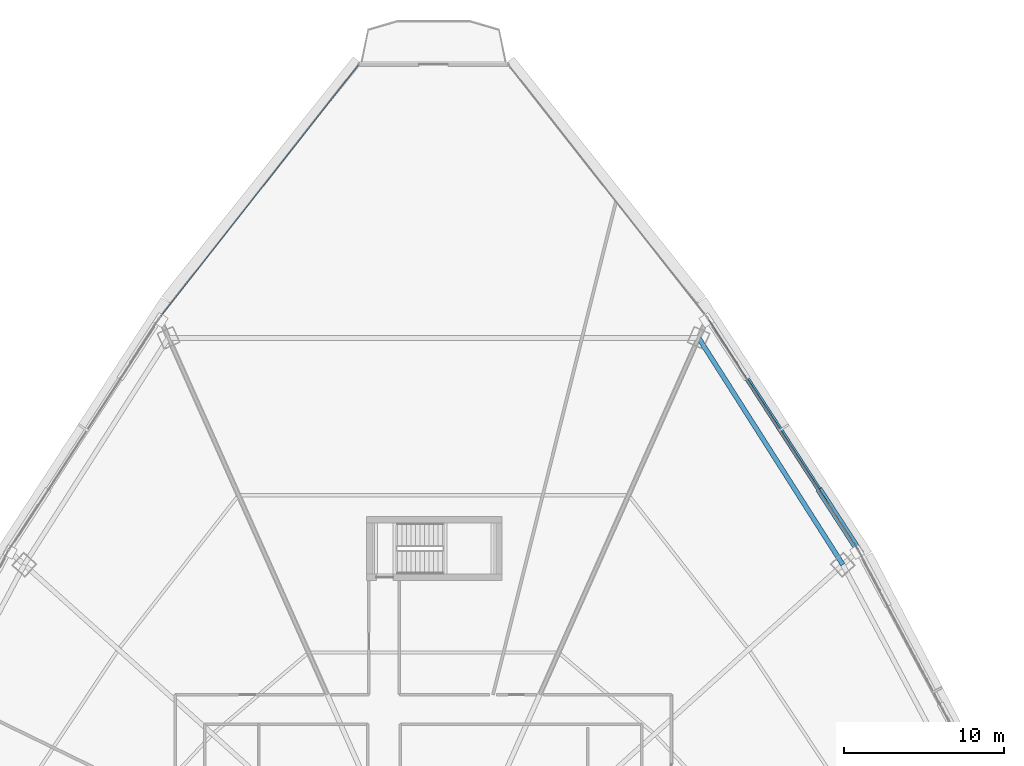
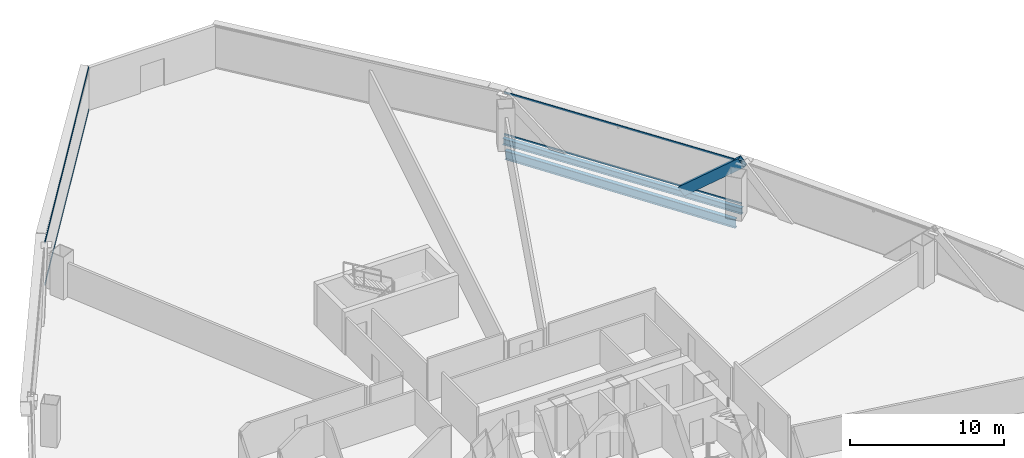
# One storey, part 25 of 37: 5 members, 2 beams, 2 elements without a shape of their own.
"""IFC4 building model written with IfcOpenShell, lengths in metres."""

from ifc_helpers import new_model, si_unit, direction, frame, origin, origin_2d, place, context, subcontext, project, spatial, hollow_rectangle, i_section, extrude, source, transform, mapped, material, layer, layer_set, material_profile, profile_set, type_object, element, aggregate, save


model = new_model("IFC4")

# Units and contexts
model_context = context("Model", 3, precision=1e-05, world=origin(), true_north=direction((0.0, 1.0)))
body_context = subcontext(model_context, "Body", "Model", "MODEL_VIEW")
ifc_project = project(units=[si_unit("LENGTHUNIT", "METRE"), si_unit("AREAUNIT", "SQUARE_METRE"), si_unit("VOLUMEUNIT", "CUBIC_METRE"), si_unit("PLANEANGLEUNIT", "RADIAN"), si_unit("MASSUNIT", "GRAM", prefix="KILO"), si_unit("THERMODYNAMICTEMPERATUREUNIT", "KELVIN"), si_unit("POWERUNIT", "WATT")], contexts=[model_context])

# Site, building, storey
site_placement = place(None, origin())
site = spatial("IfcSite", under=ifc_project, at=site_placement, CompositionType="ELEMENT")
building_placement = place(site_placement, origin())
building = spatial("IfcBuilding", under=site, at=building_placement, Name="Yunzhuo Pagoda Commons", CompositionType="ELEMENT")
storey_placement = place(building_placement, frame((0.0, 0.0, 59.43994140625)))
storey = spatial("IfcBuildingStorey", under=building, at=storey_placement, Name="L15", CompositionType="ELEMENT", Elevation=59.43994140625)

# Beams
ifc_material_1 = material(Name="Structural steel Q355B", Category="steel")
ifc_material_profile_1 = material_profile(ifc_material_1, i_section(OverallWidth=0.300048828125, OverallDepth=0.699951171875, WebThickness=0.012939453125, FlangeThickness=0.02392578125, at=origin_2d()), Name="Structural steel Q355B")
ifc_profile_set_1 = profile_set([ifc_material_profile_1], Name="Structural steel Q355B")
beam_type_1 = type_object("IfcBeamType", Name="B-RG1 Beam HN 700x300x13x24", PredefinedType="BEAM", material=ifc_profile_set_1)
shared_shape_1 = source(origin(), body_context, "Body", "SweptSolid", [
    extrude(i_section(OverallWidth=0.300048828125, OverallDepth=0.699951171875, WebThickness=0.012939453125, FlangeThickness=0.02392578125, at=origin_2d()), origin(), (0.0, 0.0, 1.0), 16.843994140625),
])
beam_1_placement = place(storey_placement, frame((73.648681640625, 56.79443359375, -0.60986328125), z_axis=(-0.536558458992, 0.843863152462, 0.0), x_axis=(-0.843863152462, -0.536558458992, 0.0)))
element("IfcBeam", 1, at=beam_1_placement, inside=storey, type_object=beam_type_1, Name="L15 column-ring beam 7", PredefinedType="BEAM", context=body_context, shape_type="MappedRepresentation", body=[
    mapped(shared_shape_1, transform((0.0, 0.0, 0.0), scale=1.0)),
])
ifc_material_profile_2 = material_profile(ifc_material_1, i_section(OverallWidth=0.300048828125, OverallDepth=0.488037109375, WebThickness=0.010986328125, FlangeThickness=0.01806640625, at=origin_2d()), Name="Structural steel Q355B")
ifc_profile_set_2 = profile_set([ifc_material_profile_2], Name="Structural steel Q355B")
beam_type_2 = type_object("IfcBeamType", Name="B-SP1 Beam HM 488x300x11x18", PredefinedType="BEAM", material=ifc_profile_set_2)
shared_shape_2 = source(origin(), body_context, "Body", "SweptSolid", [
    extrude(i_section(OverallWidth=0.300048828125, OverallDepth=0.488037109375, WebThickness=0.010986328125, FlangeThickness=0.01806640625, at=origin_2d()), origin(), (0.0, 0.0, 1.0), 17.38671875),
])
beam_2_placement = place(storey_placement, frame((74.63818359375, 57.68505859375, -0.50390625), z_axis=(-0.544473954906, 0.838777749126, 0.0), x_axis=(-0.838777749126, -0.544473954906, 0.0)))
element("IfcBeam", 2, at=beam_2_placement, inside=storey, type_object=beam_type_2, Name="L15 facade edge spandrel beam F2.3", PredefinedType="BEAM", context=body_context, shape_type="MappedRepresentation", body=[
    mapped(shared_shape_2, transform((0.0, 0.0, 0.0), scale=1.0)),
])

# Member
ifc_material_2 = material(Name="Structural steel Q420B", Category="steel")
ifc_material_profile_3 = material_profile(ifc_material_2, hollow_rectangle(XDim=0.419921875, YDim=0.719970703125, WallThickness=0.028076171875, at=origin_2d()), Name="Structural steel Q420B")
ifc_profile_set_3 = profile_set([ifc_material_profile_3], Name="Structural steel Q420B")
member_type_1 = type_object("IfcMemberType", Name="M-DL1 Brace BOX 720x420x28", PredefinedType="BRACE", material=ifc_profile_set_3)
shared_shape_3 = source(origin(), body_context, "Body", "SweptSolid", [
    extrude(hollow_rectangle(XDim=0.419921875, YDim=0.719970703125, WallThickness=0.028076171875, at=origin_2d()), origin(), (0.0, 0.0, 1.0), 5.663330078125),
])
member_1_placement = place(storey_placement, frame((72.271484375, 61.3310546875, -0.260009765625), z_axis=(0.417904945732, -0.643799510993, 0.640997383752), x_axis=(0.838779661722, 0.544471008486, 0.0)))
element("IfcMember", 3, at=member_1_placement, inside=storey, type_object=member_type_1, Name="L15 facade diamond brace F2.3L", PredefinedType="BRACE", context=body_context, shape_type="MappedRepresentation", body=[
    mapped(shared_shape_3, transform((0.0, 0.0, 0.0), scale=1.0)),
])

# Curtain wall, members
ifc_material_3 = material(Name="Anodized aluminium 6063-T6", Category="aluminium")
ifc_layer = layer(ifc_material_3, 0.1650390625)
ifc_layer_set = layer_set([ifc_layer], Name="Anodized aluminium 6063-T6")
curtain_wall_type = type_object("IfcCurtainWallType", Name="CW-LOW Low-Zone Ribbon Curtain Wall", PredefinedType="NOTDEFINED", material=ifc_layer_set)
curtain_wall_1_placement = place(storey_placement, origin())
curtain_wall_1 = element("IfcCurtainWall", 4, at=curtain_wall_1_placement, inside=storey, type_object=curtain_wall_type, Name="L15 curtain wall CW-L15-F2B4", PredefinedType="NOTDEFINED")
ifc_material_profile_4 = material_profile(ifc_material_3, hollow_rectangle(XDim=0.06005859375, YDim=0.139892578125, WallThickness=0.00341796875, at=origin_2d()), Name="Anodized aluminium 6063-T6")
ifc_profile_set_4 = profile_set([ifc_material_profile_4], Name="Anodized aluminium 6063-T6")
member_type_2 = type_object("IfcMemberType", Name="CW-LOW-T Transom RHS 140x60x3.5", PredefinedType="USERDEFINED", material=ifc_profile_set_4)
shared_shape_4 = source(origin(), body_context, "Body", "SweptSolid", [
    extrude(hollow_rectangle(XDim=0.06005859375, YDim=0.139892578125, WallThickness=0.00341796875, at=origin_2d()), origin(), (0.0, 0.0, 1.0), 17.256591796875),
])
member_2_placement = place(storey_placement, frame((74.602783203125, 57.739501953125, 0.030029296875), z_axis=(-0.544475548743, 0.83877671452, 0.0), x_axis=(-0.83877671452, -0.544475548743, 0.0)))
member_2 = element("IfcMember", 5, at=member_2_placement, type_object=member_type_2, Name="CW transom 1.1", ObjectType="TRANSOM", PredefinedType="USERDEFINED", context=body_context, shape_type="MappedRepresentation", body=[
    mapped(shared_shape_4, transform((0.0, 0.0, 0.0), scale=1.0)),
])
member_3_placement = place(storey_placement, frame((74.602783203125, 57.739501953125, 3.340087890625), z_axis=(-0.544475548743, 0.83877671452, 0.0), x_axis=(-0.83877671452, -0.544475548743, 0.0)))
member_3 = element("IfcMember", 6, at=member_3_placement, type_object=member_type_2, Name="CW transom 1.2", ObjectType="TRANSOM", PredefinedType="USERDEFINED", context=body_context, shape_type="MappedRepresentation", body=[
    mapped(shared_shape_4, transform((0.0, 0.0, 0.0), scale=1.0)),
])
aggregate(curtain_wall_1, [member_2, member_3])

curtain_wall_2_placement = place(storey_placement, origin())
curtain_wall_2 = element("IfcCurtainWall", 7, at=curtain_wall_2_placement, inside=storey, type_object=curtain_wall_type, Name="L15 curtain wall CW-L15-F3B1", PredefinedType="NOTDEFINED")
shared_shape_5 = source(origin(), body_context, "Body", "SweptSolid", [
    extrude(hollow_rectangle(XDim=0.06005859375, YDim=0.139892578125, WallThickness=0.00341796875, at=origin_2d()), origin(), (0.0, 0.0, 1.0), 20.00244140625),
])
member_4_placement = place(storey_placement, frame((43.28173828125, 88.099365234375, 0.030029296875), z_axis=(-0.618272093207, -0.785964133254, 0.0), x_axis=(0.785964133254, -0.618272093207, 0.0)))
member_4 = element("IfcMember", 8, at=member_4_placement, type_object=member_type_2, Name="CW transom 1.1", ObjectType="TRANSOM", PredefinedType="USERDEFINED", context=body_context, shape_type="MappedRepresentation", body=[
    mapped(shared_shape_5, transform((0.0, 0.0, 0.0), scale=1.0)),
])
member_5_placement = place(storey_placement, frame((43.28173828125, 88.099365234375, 3.340087890625), z_axis=(-0.618272093207, -0.785964133254, 0.0), x_axis=(0.785964133254, -0.618272093207, 0.0)))
member_5 = element("IfcMember", 9, at=member_5_placement, type_object=member_type_2, Name="CW transom 1.2", ObjectType="TRANSOM", PredefinedType="USERDEFINED", context=body_context, shape_type="MappedRepresentation", body=[
    mapped(shared_shape_5, transform((0.0, 0.0, 0.0), scale=1.0)),
])
aggregate(curtain_wall_2, [member_4, member_5])

save(model, "model.ifc")
